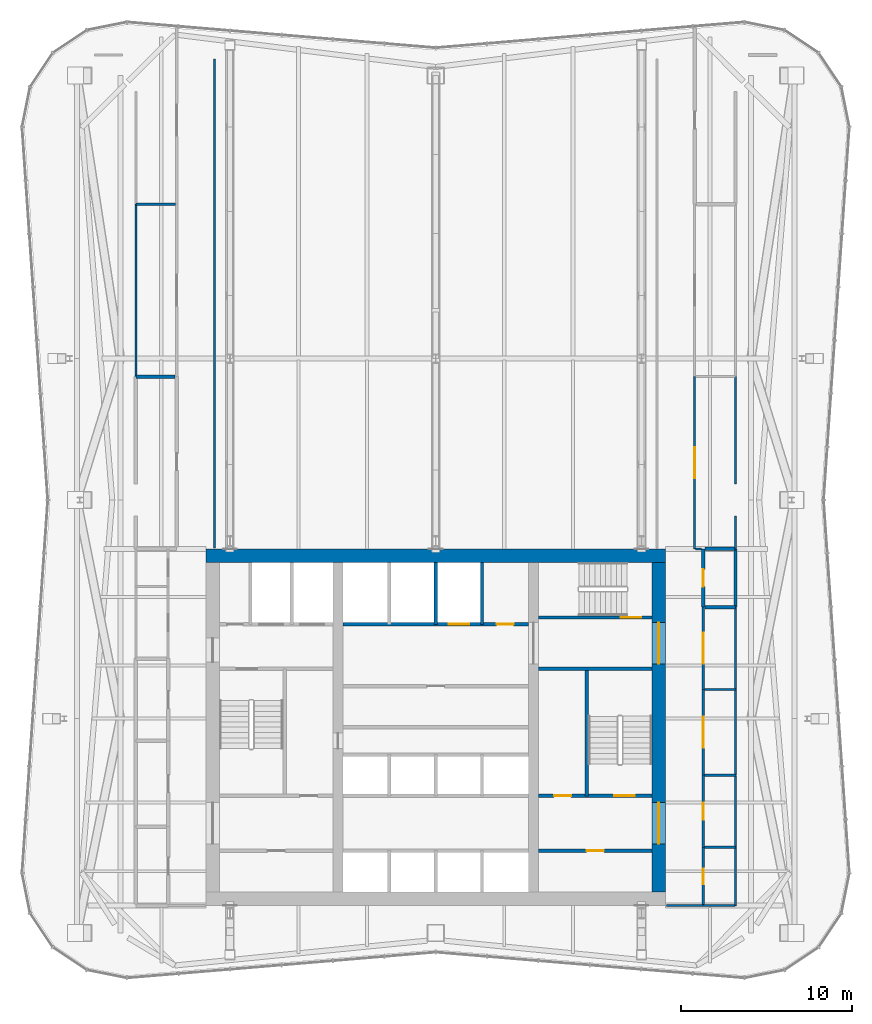
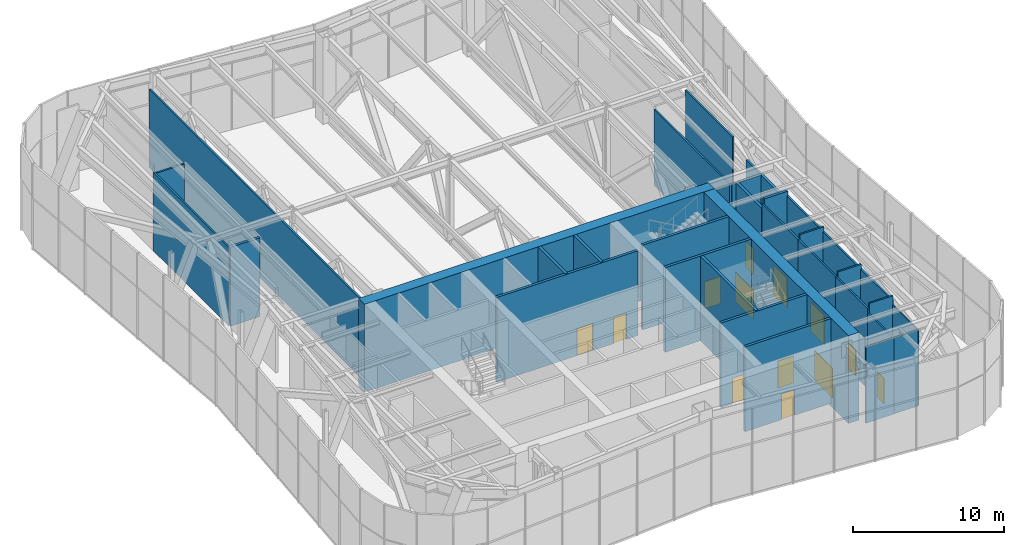
# One storey, part 13 of 17: 35 walls, 14 doors, 14 openings.
"""IFC4 building model written with IfcOpenShell, lengths in metres."""

from ifc_helpers import new_model, si_unit, direction, frame, frame_2d, origin, place, context, subcontext, project, spatial, rectangle, extrude, material, layer, layer_set, type_object, element, fill, save


model = new_model("IFC4")

# Units and contexts
model_context = context("Model", 3, precision=1e-05, world=origin(), true_north=direction((0.0, 1.0)))
body_context = subcontext(model_context, "Body", "Model", "MODEL_VIEW")
ifc_project = project(units=[si_unit("LENGTHUNIT", "METRE"), si_unit("AREAUNIT", "SQUARE_METRE"), si_unit("VOLUMEUNIT", "CUBIC_METRE"), si_unit("PLANEANGLEUNIT", "RADIAN"), si_unit("MASSUNIT", "GRAM", prefix="KILO")], contexts=[model_context])

# Site, building, storey
site_placement = place(None, origin())
site = spatial("IfcSite", under=ifc_project, at=site_placement, CompositionType="ELEMENT")
building_placement = place(site_placement, origin())
building = spatial("IfcBuilding", under=site, at=building_placement, Name="Verdant Reach Tower", CompositionType="ELEMENT")
storey_placement = place(building_placement, frame((0.0, 0.0, 282.0)))
storey = spatial("IfcBuildingStorey", under=building, at=storey_placement, Name="L65 Plant", CompositionType="ELEMENT", Elevation=282.0)

# Wall, opening, door
ifc_material_1 = material(Name="Gypsum board on steel studs", Category="steel")
ifc_layer_1 = layer(ifc_material_1, 0.199951171875)
ifc_layer_set_1 = layer_set([ifc_layer_1], Name="CO-WALL-ROOM")
wall_type_1 = type_object("IfcWallType", Name="CO-WALL-ROOM", PredefinedType="PARTITIONING", material=ifc_layer_set_1)
wall_1_placement = place(storey_placement, frame((6.0, 20.800048828125, 0.0), z_axis=(0.0, 0.0, 1.0), x_axis=(1.0, 0.0, 0.0)))
wall_1 = element("IfcWall", 1, at=wall_1_placement, inside=storey, type_object=wall_type_1, Name="Core partition, L65 Plant", PredefinedType="PARTITIONING", context=body_context, shape_type="SweptSolid", body=[
    extrude(rectangle(XDim=6.60009765625, YDim=0.199951171875, at=frame_2d((3.300048828125, 0.0))), origin(), (0.0, 0.0, 1.0), 6.8701171875),
])
opening_1_placement = place(wall_1_placement, frame((2.800048828125, 0.0, 0.0)))
opening_1 = element("IfcOpeningElement", 2, at=opening_1_placement, cuts=wall_1, Name="Opening CD", PredefinedType="OPENING", context=body_context, shape_type="SweptSolid", body=[
    extrude(rectangle(XDim=1.0, YDim=2.10009765625, at=frame_2d((0.5, 1.050048828125))), frame((0.0, 0.10986328125, 0.0), z_axis=(0.0, -1.0, 0.0), x_axis=(1.0, 0.0, 0.0)), (0.0, 0.0, 1.0), 0.219970703125),
])
ifc_material_2 = material(Name="Timber", Category="wood")
door_type_1 = type_object("IfcDoorType", Name="CO-DOOR-ROOM", OperationType="NOTDEFINED", PredefinedType="DOOR", material=ifc_material_2)
door_1_placement = place(opening_1_placement, origin())
door_1 = element("IfcDoor", 3, at=door_1_placement, inside=storey, type_object=door_type_1, Name="Core room door, L65 Plant", OperationType="SINGLE_SWING_LEFT", OverallHeight=2.10009765625, OverallWidth=1.0, PredefinedType="DOOR", context=body_context, shape_type="SweptSolid", body=[
    extrude(rectangle(XDim=1.0, YDim=2.10009765625, at=frame_2d((0.5, 1.050048828125))), frame((0.0, 0.02490234375, 0.0), z_axis=(0.0, -1.0, 0.0), x_axis=(1.0, 0.0, 0.0)), (0.0, 0.0, 1.0), 0.050048828125),
])
fill(opening_1, door_1)

# Wall, openings, doors
ifc_material_3 = material(Name="Concrete C40/50", Category="concrete")
ifc_layer_2 = layer(ifc_material_3, 0.199951171875)
ifc_layer_set_2 = layer_set([ifc_layer_2], Name="CO-WALL-SHAFT")
wall_type_2 = type_object("IfcWallType", Name="CO-WALL-SHAFT", PredefinedType="PARTITIONING", material=ifc_layer_set_2)
wall_2_placement = place(storey_placement, frame((-5.39990234375, 34.0, 0.0), z_axis=(0.0, 0.0, 1.0), x_axis=(1.0, 0.0, 0.0)))
wall_2 = element("IfcWall", 4, at=wall_2_placement, inside=storey, type_object=wall_type_2, Name="Lift shaft wall, L65 Plant", PredefinedType="PARTITIONING", context=body_context, shape_type="SweptSolid", body=[
    extrude(rectangle(XDim=10.7998046875, YDim=0.199951171875, at=frame_2d((5.39990234375, 0.0))), origin(), (0.0, 0.0, 1.0), 6.8701171875),
])
opening_2_placement = place(wall_2_placement, frame((6.14990234375, 0.0, 0.0)))
opening_2 = element("IfcOpeningElement", 5, at=opening_2_placement, cuts=wall_2, Name="Opening LD-SL1", PredefinedType="OPENING", context=body_context, shape_type="SweptSolid", body=[
    extrude(rectangle(XDim=1.199951171875, YDim=2.199951171875, at=frame_2d((0.60009765625, 1.10009765625))), frame((0.0, 0.10986328125, 0.0), z_axis=(0.0, -1.0, 0.0), x_axis=(1.0, 0.0, 0.0)), (0.0, 0.0, 1.0), 0.219970703125),
])
opening_3_placement = place(wall_2_placement, frame((8.949951171875, 0.0, 0.0)))
opening_3 = element("IfcOpeningElement", 6, at=opening_3_placement, cuts=wall_2, Name="Opening CD", PredefinedType="OPENING", context=body_context, shape_type="SweptSolid", body=[
    extrude(rectangle(XDim=1.0, YDim=2.10009765625, at=frame_2d((0.5, 1.050048828125))), frame((0.0, 0.10986328125, 0.0), z_axis=(0.0, -1.0, 0.0), x_axis=(1.0, 0.0, 0.0)), (0.0, 0.0, 1.0), 0.219970703125),
])
ifc_material_4 = material(Name="Stainless steel", Category="steel")
door_type_2 = type_object("IfcDoorType", Name="CO-DOOR-LANDING", OperationType="SLIDING_TO_LEFT", PredefinedType="DOOR", material=ifc_material_4)
door_2_placement = place(opening_2_placement, origin())
door_2 = element("IfcDoor", 7, at=door_2_placement, inside=storey, type_object=door_type_2, Name="Landing door SL1, L65 Plant", OperationType="SLIDING_TO_LEFT", OverallHeight=2.199951171875, OverallWidth=1.199951171875, PredefinedType="DOOR", context=body_context, shape_type="SweptSolid", body=[
    extrude(rectangle(XDim=1.199951171875, YDim=2.199951171875, at=frame_2d((0.60009765625, 1.10009765625))), frame((0.0, 0.02490234375, 0.0), z_axis=(0.0, -1.0, 0.0), x_axis=(1.0, 0.0, 0.0)), (0.0, 0.0, 1.0), 0.050048828125),
])
fill(opening_2, door_2)
door_3_placement = place(opening_3_placement, origin())
door_3 = element("IfcDoor", 8, at=door_3_placement, inside=storey, type_object=door_type_1, Name="Core room door, L65 Plant", OperationType="SINGLE_SWING_LEFT", OverallHeight=2.10009765625, OverallWidth=1.0, PredefinedType="DOOR", context=body_context, shape_type="SweptSolid", body=[
    extrude(rectangle(XDim=1.0, YDim=2.10009765625, at=frame_2d((0.5, 1.050048828125))), frame((0.0, 0.02490234375, 0.0), z_axis=(0.0, -1.0, 0.0), x_axis=(1.0, 0.0, 0.0)), (0.0, 0.0, 1.0), 0.050048828125),
])
fill(opening_3, door_3)

# Walls
for number, where, z_axis, x_axis, name in (
    (9, (0.0, 34.0, 0.0), (0.0, 0.0, 1.0), (0.0, 1.0, 0.0), "Lift shaft wall, L65 Plant"),
    (10, (2.699951171875, 34.0, 0.0), (0.0, 0.0, 1.0), (0.0, 1.0, 0.0), "Lift shaft wall, L65 Plant"),
):
    element("IfcWall", number, at=place(storey_placement, frame(where, z_axis=z_axis, x_axis=x_axis)), inside=storey, type_object=wall_type_2, Name=name, PredefinedType="PARTITIONING", context=body_context, shape_type="SweptSolid", body=[
        extrude(rectangle(XDim=3.60009765625, YDim=0.199951171875, at=frame_2d((1.800048828125, 0.0))), origin(), (0.0, 0.0, 1.0), 6.8701171875),
    ])

# Wall, openings, doors
ifc_layer_3 = layer(ifc_material_3, 0.199951171875)
ifc_layer_set_3 = layer_set([ifc_layer_3], Name="CO-WALL-STAIR")
wall_type_3 = type_object("IfcWallType", Name="CO-WALL-STAIR", PredefinedType="PARTITIONING", material=ifc_layer_set_3)
wall_3_placement = place(storey_placement, frame((6.0, 24.0, 0.0), z_axis=(0.0, 0.0, 1.0), x_axis=(1.0, 0.0, 0.0)))
wall_3 = element("IfcWall", 11, at=wall_3_placement, inside=storey, type_object=wall_type_3, Name="Stair enclosure wall, L65 Plant", PredefinedType="PARTITIONING", context=body_context, shape_type="SweptSolid", body=[
    extrude(rectangle(XDim=6.60009765625, YDim=0.199951171875, at=frame_2d((3.300048828125, 0.0))), origin(), (0.0, 0.0, 1.0), 6.8701171875),
])
opening_4_placement = place(wall_3_placement, frame((0.89990234375, 0.0, 0.0)))
opening_4 = element("IfcOpeningElement", 12, at=opening_4_placement, cuts=wall_3, Name="Opening CD", PredefinedType="OPENING", context=body_context, shape_type="SweptSolid", body=[
    extrude(rectangle(XDim=1.0, YDim=2.10009765625, at=frame_2d((0.5, 1.050048828125))), frame((0.0, 0.10986328125, 0.0), z_axis=(0.0, -1.0, 0.0), x_axis=(1.0, 0.0, 0.0)), (0.0, 0.0, 1.0), 0.219970703125),
])
opening_5_placement = place(wall_3_placement, frame((4.39990234375, 0.0, 0.0)))
opening_5 = element("IfcOpeningElement", 13, at=opening_5_placement, cuts=wall_3, Name="Opening SD", PredefinedType="OPENING", context=body_context, shape_type="SweptSolid", body=[
    extrude(rectangle(XDim=1.199951171875, YDim=2.199951171875, at=frame_2d((0.60009765625, 1.10009765625))), frame((0.0, 0.10986328125, 0.0), z_axis=(0.0, -1.0, 0.0), x_axis=(1.0, 0.0, 0.0)), (0.0, 0.0, 1.0), 0.219970703125),
])
door_4_placement = place(opening_4_placement, origin())
door_4 = element("IfcDoor", 14, at=door_4_placement, inside=storey, type_object=door_type_1, Name="Core room door, L65 Plant", OperationType="SINGLE_SWING_RIGHT", OverallHeight=2.10009765625, OverallWidth=1.0, PredefinedType="DOOR", context=body_context, shape_type="SweptSolid", body=[
    extrude(rectangle(XDim=1.0, YDim=2.10009765625, at=frame_2d((0.5, 1.050048828125))), frame((0.0, 0.02490234375, 0.0), z_axis=(0.0, -1.0, 0.0), x_axis=(1.0, 0.0, 0.0)), (0.0, 0.0, 1.0), 0.050048828125),
])
fill(opening_4, door_4)
ifc_material_5 = material(Name="Steel", Category="steel")
door_type_3 = type_object("IfcDoorType", Name="CO-DOOR-STAIR", OperationType="NOTDEFINED", PredefinedType="DOOR", material=ifc_material_5)
door_5_placement = place(opening_5_placement, origin())
door_5 = element("IfcDoor", 15, at=door_5_placement, inside=storey, type_object=door_type_3, Name="Stair door, L65 Plant", OperationType="SINGLE_SWING_RIGHT", OverallHeight=2.199951171875, OverallWidth=1.199951171875, PredefinedType="DOOR", context=body_context, shape_type="SweptSolid", body=[
    extrude(rectangle(XDim=1.199951171875, YDim=2.199951171875, at=frame_2d((0.60009765625, 1.10009765625))), frame((0.0, 0.02490234375, 0.0), z_axis=(0.0, -1.0, 0.0), x_axis=(1.0, 0.0, 0.0)), (0.0, 0.0, 1.0), 0.050048828125),
])
fill(opening_5, door_5)

# Wall
wall_4_placement = place(storey_placement, frame((6.0, 31.39990234375, 0.0), z_axis=(0.0, 0.0, 1.0), x_axis=(1.0, 0.0, 0.0)))
element("IfcWall", 16, at=wall_4_placement, inside=storey, type_object=wall_type_3, Name="Stair enclosure wall, L65 Plant", PredefinedType="PARTITIONING", context=body_context, shape_type="SweptSolid", body=[
    extrude(rectangle(XDim=6.60009765625, YDim=0.199951171875, at=frame_2d((3.300048828125, 0.0))), origin(), (0.0, 0.0, 1.0), 6.8701171875),
])

# Wall, opening, door
wall_5_placement = place(storey_placement, frame((6.0, 34.39990234375, 0.0), z_axis=(0.0, 0.0, 1.0), x_axis=(1.0, 0.0, 0.0)))
wall_5 = element("IfcWall", 17, at=wall_5_placement, inside=storey, type_object=wall_type_3, Name="Stair enclosure wall, L65 Plant", PredefinedType="PARTITIONING", context=body_context, shape_type="SweptSolid", body=[
    extrude(rectangle(XDim=6.60009765625, YDim=0.199951171875, at=frame_2d((3.300048828125, 0.0))), origin(), (0.0, 0.0, 1.0), 6.8701171875),
])
opening_6_placement = place(wall_5_placement, frame((4.800048828125, 0.0, 0.0)))
opening_6 = element("IfcOpeningElement", 18, at=opening_6_placement, cuts=wall_5, Name="Opening SD", PredefinedType="OPENING", context=body_context, shape_type="SweptSolid", body=[
    extrude(rectangle(XDim=1.199951171875, YDim=2.199951171875, at=frame_2d((0.60009765625, 1.10009765625))), frame((0.0, 0.10986328125, 0.0), z_axis=(0.0, -1.0, 0.0), x_axis=(1.0, 0.0, 0.0)), (0.0, 0.0, 1.0), 0.219970703125),
])
door_6_placement = place(opening_6_placement, origin())
door_6 = element("IfcDoor", 19, at=door_6_placement, inside=storey, type_object=door_type_3, Name="Stair door, L65 Plant", OperationType="SINGLE_SWING_LEFT", OverallHeight=2.199951171875, OverallWidth=1.199951171875, PredefinedType="DOOR", context=body_context, shape_type="SweptSolid", body=[
    extrude(rectangle(XDim=1.199951171875, YDim=2.199951171875, at=frame_2d((0.60009765625, 1.10009765625))), frame((0.0, 0.02490234375, 0.0), z_axis=(0.0, -1.0, 0.0), x_axis=(1.0, 0.0, 0.0)), (0.0, 0.0, 1.0), 0.050048828125),
])
fill(opening_6, door_6)

# Walls
wall_6_placement = place(storey_placement, frame((8.800048828125, 24.0, 0.0), z_axis=(0.0, 0.0, 1.0), x_axis=(0.0, 1.0, 0.0)))
element("IfcWall", 20, at=wall_6_placement, inside=storey, type_object=wall_type_3, Name="Stair enclosure wall, L65 Plant", PredefinedType="PARTITIONING", context=body_context, shape_type="SweptSolid", body=[
    extrude(rectangle(XDim=7.39990234375, YDim=0.199951171875, at=frame_2d((3.699951171875, 0.0))), origin(), (0.0, 0.0, 1.0), 6.8701171875),
])
ifc_material_6 = material(Name="Concrete C70/85", Category="concrete")
ifc_layer_4 = layer(ifc_material_6, 0.800048828125)
ifc_layer_set_4 = layer_set([ifc_layer_4], Name="ST-CORE-WALL-800")
wall_type_4 = type_object("IfcWallType", Name="ST-CORE-WALL-800", PredefinedType="SHEAR", material=ifc_layer_set_4)
wall_7_placement = place(storey_placement, frame((-13.39990234375, 38.0, -0.25), z_axis=(0.0, 0.0, 1.0), x_axis=(1.0, 0.0, 0.0)))
element("IfcWall", 21, at=wall_7_placement, inside=storey, type_object=wall_type_4, Name="Core wall N, L65 Plant", PredefinedType="SHEAR", context=body_context, shape_type="SweptSolid", body=[
    extrude(rectangle(XDim=26.7998046875, YDim=0.800048828125, at=frame_2d((13.39990234375, 0.0))), origin(), (0.0, 0.0, 1.0), 7.1201171875),
])

# Wall, openings, doors
wall_8_placement = place(storey_placement, frame((13.0, 18.39990234375, -0.25), z_axis=(0.0, 0.0, 1.0), x_axis=(0.0, 1.0, 0.0)))
wall_8 = element("IfcWall", 22, at=wall_8_placement, inside=storey, type_object=wall_type_4, Name="Core wall E, L65 Plant", PredefinedType="SHEAR", context=body_context, shape_type="SweptSolid", body=[
    extrude(rectangle(XDim=19.2001953125, YDim=0.800048828125, at=frame_2d((9.60009765625, 0.0))), origin(), (0.0, 0.0, 1.0), 7.1201171875),
])
opening_7_placement = place(wall_8_placement, frame((2.800048828125, 0.0, 0.25)))
opening_7 = element("IfcOpeningElement", 23, at=opening_7_placement, cuts=wall_8, Name="Opening LB", PredefinedType="OPENING", context=body_context, shape_type="SweptSolid", body=[
    extrude(rectangle(XDim=2.39990234375, YDim=2.39990234375, at=frame_2d((1.199951171875, 1.199951171875))), frame((0.0, 0.409912109375, 0.0), z_axis=(0.0, -1.0, 0.0), x_axis=(1.0, 0.0, 0.0)), (0.0, 0.0, 1.0), 0.820068359375),
])
opening_8_placement = place(wall_8_placement, frame((13.300048828125, 0.0, 0.25)))
opening_8 = element("IfcOpeningElement", 24, at=opening_8_placement, cuts=wall_8, Name="Opening LB", PredefinedType="OPENING", context=body_context, shape_type="SweptSolid", body=[
    extrude(rectangle(XDim=2.39990234375, YDim=2.39990234375, at=frame_2d((1.199951171875, 1.199951171875))), frame((0.0, 0.409912109375, 0.0), z_axis=(0.0, -1.0, 0.0), x_axis=(1.0, 0.0, 0.0)), (0.0, 0.0, 1.0), 0.820068359375),
])
ifc_material_7 = material(Name="Glass and steel", Category="steel")
door_type_4 = type_object("IfcDoorType", Name="CO-DOOR-LOBBY", OperationType="DOUBLE_DOOR_SINGLE_SWING", PredefinedType="DOOR", material=ifc_material_7)
door_7_placement = place(opening_7_placement, origin())
door_7 = element("IfcDoor", 25, at=door_7_placement, inside=storey, type_object=door_type_4, Name="Core entrance door, L65 Plant", OperationType="DOUBLE_DOOR_SINGLE_SWING", OverallHeight=2.39990234375, OverallWidth=2.39990234375, PredefinedType="DOOR", context=body_context, shape_type="SweptSolid", body=[
    extrude(rectangle(XDim=2.39990234375, YDim=2.39990234375, at=frame_2d((1.199951171875, 1.199951171875))), frame((0.0, 0.02490234375, 0.0), z_axis=(0.0, -1.0, 0.0), x_axis=(1.0, 0.0, 0.0)), (0.0, 0.0, 1.0), 0.050048828125),
])
fill(opening_7, door_7)
door_8_placement = place(opening_8_placement, origin())
door_8 = element("IfcDoor", 26, at=door_8_placement, inside=storey, type_object=door_type_4, Name="Core entrance door, L65 Plant", OperationType="DOUBLE_DOOR_SINGLE_SWING", OverallHeight=2.39990234375, OverallWidth=2.39990234375, PredefinedType="DOOR", context=body_context, shape_type="SweptSolid", body=[
    extrude(rectangle(XDim=2.39990234375, YDim=2.39990234375, at=frame_2d((1.199951171875, 1.199951171875))), frame((0.0, 0.02490234375, 0.0), z_axis=(0.0, -1.0, 0.0), x_axis=(1.0, 0.0, 0.0)), (0.0, 0.0, 1.0), 0.050048828125),
])
fill(opening_8, door_8)

# Walls
ifc_layer_5 = layer(ifc_material_1, 0.10009765625)
ifc_layer_set_5 = layer_set([ifc_layer_5], Name="SV-W1 Partition 100")
wall_type_5 = type_object("IfcWallType", Name="SV-W1 Partition 100", PredefinedType="PARTITIONING", material=ifc_layer_set_5)
wall_9_placement = place(storey_placement, frame((17.48193359375, 20.998046875, 0.0), z_axis=(0.0, 0.0, 1.0), x_axis=(0.0, -1.0, 0.0)))
element("IfcWall", 27, at=wall_9_placement, inside=storey, type_object=wall_type_5, Name="Partition L65.35", PredefinedType="PARTITIONING", context=body_context, shape_type="SweptSolid", body=[
    extrude(rectangle(XDim=3.39794921875, YDim=0.10009765625, at=frame_2d((1.698974609375, 0.0))), origin(), (0.0, 0.0, 1.0), 6.139892578125),
])
wall_10_placement = place(storey_placement, frame((17.431884765625, 17.60009765625, 0.0), z_axis=(0.0, 0.0, 1.0), x_axis=(-1.0, 0.0, 0.0)))
element("IfcWall", 28, at=wall_10_placement, inside=storey, type_object=wall_type_5, Name="Partition L65.36", PredefinedType="PARTITIONING", context=body_context, shape_type="SweptSolid", body=[
    extrude(rectangle(XDim=1.829833984375, YDim=0.10009765625, at=frame_2d((0.9150390625, 0.0))), origin(), (0.0, 0.0, 1.0), 6.139892578125),
])

# Wall, opening, door
ifc_material_8 = material(Name="Gypsum board on steel studs, fire rated", Category="steel")
ifc_layer_6 = layer(ifc_material_8, 0.125)
ifc_layer_set_6 = layer_set([ifc_layer_6], Name="SV-W2 Plant wall 125 EI 60")
wall_type_6 = type_object("IfcWallType", Name="SV-W2 Plant wall 125 EI 60", PredefinedType="PARTITIONING", material=ifc_layer_set_6)
wall_11_placement = place(storey_placement, frame((15.60009765625, 17.60009765625, 0.0), z_axis=(0.0, 0.0, 1.0), x_axis=(0.0, 1.0, 0.0)))
wall_11 = element("IfcWall", 29, at=wall_11_placement, inside=storey, type_object=wall_type_6, Name="Partition L65.01", PredefinedType="PARTITIONING", context=body_context, shape_type="SweptSolid", body=[
    extrude(rectangle(XDim=3.39990234375, YDim=0.125, at=frame_2d((1.699951171875, 0.0))), origin(), (0.0, 0.0, 1.0), 6.139892578125),
])
opening_9_placement = place(wall_11_placement, frame((1.25, 0.0, 0.0)))
opening_9 = element("IfcOpeningElement", 30, at=opening_9_placement, cuts=wall_11, Name="Opening SD1", PredefinedType="OPENING", context=body_context, shape_type="SweptSolid", body=[
    extrude(rectangle(XDim=0.89990234375, YDim=2.10009765625, at=frame_2d((0.449951171875, 1.050048828125))), frame((0.0, 0.072509765625, 0.0), z_axis=(0.0, -1.0, 0.0), x_axis=(1.0, 0.0, 0.0)), (0.0, 0.0, 1.0), 0.14501953125),
])
ifc_material_9 = material(Name="Painted timber door leaf", Category="wood")
door_type_5 = type_object("IfcDoorType", Name="SV-D1 Door 900x2100", OperationType="NOTDEFINED", PredefinedType="DOOR", material=ifc_material_9)
door_9_placement = place(opening_9_placement, origin())
door_9 = element("IfcDoor", 31, at=door_9_placement, inside=storey, type_object=door_type_5, Name="Door L65-001", OperationType="SINGLE_SWING_LEFT", OverallHeight=2.10009765625, OverallWidth=0.89990234375, PredefinedType="DOOR", context=body_context, shape_type="SweptSolid", body=[
    extrude(rectangle(XDim=0.89990234375, YDim=2.10009765625, at=frame_2d((0.449951171875, 1.050048828125))), frame((0.0, 0.02490234375, 0.0), z_axis=(0.0, -1.0, 0.0), x_axis=(1.0, 0.0, 0.0)), (0.0, 0.0, 1.0), 0.050048828125),
])
fill(opening_9, door_9)

wall_12_placement = place(storey_placement, frame((15.60009765625, 21.0, 0.0), z_axis=(0.0, 0.0, 1.0), x_axis=(0.0, 1.0, 0.0)))
wall_12 = element("IfcWall", 32, at=wall_12_placement, inside=storey, type_object=wall_type_6, Name="Partition L65.02", PredefinedType="PARTITIONING", context=body_context, shape_type="SweptSolid", body=[
    extrude(rectangle(XDim=4.199951171875, YDim=0.125, at=frame_2d((2.10009765625, 0.0))), origin(), (0.0, 0.0, 1.0), 6.47998046875),
])
opening_10_placement = place(wall_12_placement, frame((1.60009765625, 0.0, 0.0)))
opening_10 = element("IfcOpeningElement", 33, at=opening_10_placement, cuts=wall_12, Name="Opening SD2", PredefinedType="OPENING", context=body_context, shape_type="SweptSolid", body=[
    extrude(rectangle(XDim=1.0, YDim=2.10009765625, at=frame_2d((0.5, 1.050048828125))), frame((0.0, 0.072509765625, 0.0), z_axis=(0.0, -1.0, 0.0), x_axis=(1.0, 0.0, 0.0)), (0.0, 0.0, 1.0), 0.14501953125),
])
ifc_material_10 = material(Name="Steel door leaf, fire rated", Category="steel")
door_type_6 = type_object("IfcDoorType", Name="SV-D2 Door 1000x2100 FD60", OperationType="NOTDEFINED", PredefinedType="DOOR", material=ifc_material_10)
door_10_placement = place(opening_10_placement, origin())
door_10 = element("IfcDoor", 34, at=door_10_placement, inside=storey, type_object=door_type_6, Name="Door L65-002", OperationType="SINGLE_SWING_RIGHT", OverallHeight=2.10009765625, OverallWidth=1.0, PredefinedType="DOOR", context=body_context, shape_type="SweptSolid", body=[
    extrude(rectangle(XDim=1.0, YDim=2.10009765625, at=frame_2d((0.5, 1.050048828125))), frame((0.0, 0.02490234375, 0.0), z_axis=(0.0, -1.0, 0.0), x_axis=(1.0, 0.0, 0.0)), (0.0, 0.0, 1.0), 0.050048828125),
])
fill(opening_10, door_10)

wall_13_placement = place(storey_placement, frame((15.60009765625, 25.199951171875, 0.0), z_axis=(0.0, 0.0, 1.0), x_axis=(0.0, 1.0, 0.0)))
wall_13 = element("IfcWall", 35, at=wall_13_placement, inside=storey, type_object=wall_type_6, Name="Partition L65.03", PredefinedType="PARTITIONING", context=body_context, shape_type="SweptSolid", body=[
    extrude(rectangle(XDim=5.0, YDim=0.125, at=frame_2d((2.5, 0.0))), origin(), (0.0, 0.0, 1.0), 6.47998046875),
])
opening_11_placement = place(wall_13_placement, frame((1.60009765625, 0.0, 0.0)))
opening_11 = element("IfcOpeningElement", 36, at=opening_11_placement, cuts=wall_13, Name="Opening SD3", PredefinedType="OPENING", context=body_context, shape_type="SweptSolid", body=[
    extrude(rectangle(XDim=1.800048828125, YDim=2.39990234375, at=frame_2d((0.89990234375, 1.199951171875))), frame((0.0, 0.072509765625, 0.0), z_axis=(0.0, -1.0, 0.0), x_axis=(1.0, 0.0, 0.0)), (0.0, 0.0, 1.0), 0.14501953125),
])
ifc_material_11 = material(Name="Steel door leaves, fire rated", Category="steel")
door_type_7 = type_object("IfcDoorType", Name="SV-D3 Equipment door 1800x2400 FD60", OperationType="DOUBLE_DOOR_SINGLE_SWING", PredefinedType="DOOR", material=ifc_material_11)
door_11_placement = place(opening_11_placement, origin())
door_11 = element("IfcDoor", 37, at=door_11_placement, inside=storey, type_object=door_type_7, Name="Door L65-003", OperationType="DOUBLE_DOOR_SINGLE_SWING", OverallHeight=2.39990234375, OverallWidth=1.800048828125, PredefinedType="DOOR", context=body_context, shape_type="SweptSolid", body=[
    extrude(rectangle(XDim=1.800048828125, YDim=2.39990234375, at=frame_2d((0.89990234375, 1.199951171875))), frame((0.0, 0.02490234375, 0.0), z_axis=(0.0, -1.0, 0.0), x_axis=(1.0, 0.0, 0.0)), (0.0, 0.0, 1.0), 0.050048828125),
])
fill(opening_11, door_11)

wall_14_placement = place(storey_placement, frame((15.60009765625, 30.199951171875, 0.0), z_axis=(0.0, 0.0, 1.0), x_axis=(0.0, 1.0, 0.0)))
wall_14 = element("IfcWall", 38, at=wall_14_placement, inside=storey, type_object=wall_type_6, Name="Partition L65.04", PredefinedType="PARTITIONING", context=body_context, shape_type="SweptSolid", body=[
    extrude(rectangle(XDim=4.800048828125, YDim=0.125, at=frame_2d((2.39990234375, 0.0))), origin(), (0.0, 0.0, 1.0), 6.47998046875),
])
opening_12_placement = place(wall_14_placement, frame((1.5, 0.0, 0.0)))
opening_12 = element("IfcOpeningElement", 39, at=opening_12_placement, cuts=wall_14, Name="Opening SD3", PredefinedType="OPENING", context=body_context, shape_type="SweptSolid", body=[
    extrude(rectangle(XDim=1.800048828125, YDim=2.39990234375, at=frame_2d((0.89990234375, 1.199951171875))), frame((0.0, 0.072509765625, 0.0), z_axis=(0.0, -1.0, 0.0), x_axis=(1.0, 0.0, 0.0)), (0.0, 0.0, 1.0), 0.14501953125),
])
door_12_placement = place(opening_12_placement, origin())
door_12 = element("IfcDoor", 40, at=door_12_placement, inside=storey, type_object=door_type_7, Name="Door L65-004", OperationType="DOUBLE_DOOR_SINGLE_SWING", OverallHeight=2.39990234375, OverallWidth=1.800048828125, PredefinedType="DOOR", context=body_context, shape_type="SweptSolid", body=[
    extrude(rectangle(XDim=1.800048828125, YDim=2.39990234375, at=frame_2d((0.89990234375, 1.199951171875))), frame((0.0, 0.02490234375, 0.0), z_axis=(0.0, -1.0, 0.0), x_axis=(1.0, 0.0, 0.0)), (0.0, 0.0, 1.0), 0.050048828125),
])
fill(opening_12, door_12)

wall_15_placement = place(storey_placement, frame((15.10009765625, 38.39990234375, 0.0), z_axis=(0.0, 0.0, 1.0), x_axis=(0.0, 1.0, 0.0)))
wall_15 = element("IfcWall", 41, at=wall_15_placement, inside=storey, type_object=wall_type_6, Name="Partition L65.06", PredefinedType="PARTITIONING", context=body_context, shape_type="SweptSolid", body=[
    extrude(rectangle(XDim=10.049072265625, YDim=0.125, at=frame_2d((5.0244140625, 0.0))), origin(), (0.0, 0.0, 1.0), 6.139892578125),
])
opening_13_placement = place(wall_15_placement, frame((4.12451171875, 0.0, 0.0)))
opening_13 = element("IfcOpeningElement", 42, at=opening_13_placement, cuts=wall_15, Name="Opening SD3", PredefinedType="OPENING", context=body_context, shape_type="SweptSolid", body=[
    extrude(rectangle(XDim=1.800048828125, YDim=2.39990234375, at=frame_2d((0.89990234375, 1.199951171875))), frame((0.0, 0.072509765625, 0.0), z_axis=(0.0, -1.0, 0.0), x_axis=(1.0, 0.0, 0.0)), (0.0, 0.0, 1.0), 0.14501953125),
])
door_13_placement = place(opening_13_placement, origin())
door_13 = element("IfcDoor", 43, at=door_13_placement, inside=storey, type_object=door_type_7, Name="Door L65-006", OperationType="DOUBLE_DOOR_SINGLE_SWING", OverallHeight=2.39990234375, OverallWidth=1.800048828125, PredefinedType="DOOR", context=body_context, shape_type="SweptSolid", body=[
    extrude(rectangle(XDim=1.800048828125, YDim=2.39990234375, at=frame_2d((0.89990234375, 1.199951171875))), frame((0.0, 0.02490234375, 0.0), z_axis=(0.0, -1.0, 0.0), x_axis=(1.0, 0.0, 0.0)), (0.0, 0.0, 1.0), 0.050048828125),
])
fill(opening_13, door_13)

# Walls
wall_16_placement = place(storey_placement, frame((15.16259765625, 38.39990234375, 0.0), z_axis=(0.0, 0.0, 1.0), x_axis=(1.0, 0.0, 0.0)))
element("IfcWall", 44, at=wall_16_placement, inside=storey, type_object=wall_type_6, Name="Partition L65.07", PredefinedType="PARTITIONING", context=body_context, shape_type="SweptSolid", body=[
    extrude(rectangle(XDim=0.33740234375, YDim=0.125, at=frame_2d((0.168701171875, 0.0))), origin(), (0.0, 0.0, 1.0), 6.139892578125),
])
for number, where, z_axis, x_axis, name in (
    (45, (15.66259765625, 21.0, 0.0), (0.0, 0.0, 1.0), (1.0, 0.0, 0.0), "Partition L65.10"),
    (46, (15.66259765625, 25.199951171875, 0.0), (0.0, 0.0, 1.0), (1.0, 0.0, 0.0), "Partition L65.11"),
    (47, (15.66259765625, 30.199951171875, 0.0), (0.0, 0.0, 1.0), (1.0, 0.0, 0.0), "Partition L65.12"),
):
    element("IfcWall", number, at=place(storey_placement, frame(where, z_axis=z_axis, x_axis=x_axis)), inside=storey, type_object=wall_type_6, Name=name, PredefinedType="PARTITIONING", context=body_context, shape_type="SweptSolid", body=[
        extrude(rectangle(XDim=1.8193359375, YDim=0.125, at=frame_2d((0.90966796875, 0.0))), origin(), (0.0, 0.0, 1.0), 6.8701171875),
    ])
wall_17_placement = place(storey_placement, frame((-17.48193359375, 58.498046875, 0.0), z_axis=(0.0, 0.0, 1.0), x_axis=(1.0, 0.0, 0.0)))
element("IfcWall", 48, at=wall_17_placement, inside=storey, type_object=wall_type_6, Name="Partition L65.32", PredefinedType="PARTITIONING", context=body_context, shape_type="SweptSolid", body=[
    extrude(rectangle(XDim=2.3193359375, YDim=0.125, at=frame_2d((1.15966796875, 0.0))), origin(), (0.0, 0.0, 1.0), 6.239990234375),
])
wall_18_placement = place(storey_placement, frame((15.597900390625, 17.60009765625, 0.0), z_axis=(0.0, 0.0, 1.0), x_axis=(-1.0, 0.0, 0.0)))
element("IfcWall", 49, at=wall_18_placement, inside=storey, type_object=wall_type_6, Name="Partition L65.34", PredefinedType="PARTITIONING", context=body_context, shape_type="SweptSolid", body=[
    extrude(rectangle(XDim=2.14794921875, YDim=0.125, at=frame_2d((1.073974609375, 0.0))), origin(), (0.0, 0.0, 1.0), 6.139892578125),
])
wall_19_placement = place(storey_placement, frame((17.48193359375, 25.197998046875, 0.0), z_axis=(0.0, 0.0, 1.0), x_axis=(0.0, -1.0, 0.0)))
element("IfcWall", 50, at=wall_19_placement, inside=storey, type_object=wall_type_6, Name="Partition L65.37", PredefinedType="PARTITIONING", context=body_context, shape_type="SweptSolid", body=[
    extrude(rectangle(XDim=4.196044921875, YDim=0.125, at=frame_2d((2.09814453125, 0.0))), origin(), (0.0, 0.0, 1.0), 6.47998046875),
])
wall_20_placement = place(storey_placement, frame((17.48193359375, 30.197998046875, 0.0), z_axis=(0.0, 0.0, 1.0), x_axis=(0.0, -1.0, 0.0)))
element("IfcWall", 51, at=wall_20_placement, inside=storey, type_object=wall_type_6, Name="Partition L65.38", PredefinedType="PARTITIONING", context=body_context, shape_type="SweptSolid", body=[
    extrude(rectangle(XDim=4.99609375, YDim=0.125, at=frame_2d((2.498046875, 0.0))), origin(), (0.0, 0.0, 1.0), 6.47998046875),
])
wall_21_placement = place(storey_placement, frame((17.48193359375, 34.998046875, 0.0), z_axis=(0.0, 0.0, 1.0), x_axis=(0.0, -1.0, 0.0)))
element("IfcWall", 52, at=wall_21_placement, inside=storey, type_object=wall_type_6, Name="Partition L65.39", PredefinedType="PARTITIONING", context=body_context, shape_type="SweptSolid", body=[
    extrude(rectangle(XDim=4.796142578125, YDim=0.125, at=frame_2d((2.39794921875, 0.0))), origin(), (0.0, 0.0, 1.0), 6.47998046875),
])
wall_22_placement = place(storey_placement, frame((17.48193359375, 48.447021484375, 0.0), z_axis=(0.0, 0.0, 1.0), x_axis=(0.0, -1.0, 0.0)))
element("IfcWall", 53, at=wall_22_placement, inside=storey, type_object=wall_type_6, Name="Partition L65.41", PredefinedType="PARTITIONING", context=body_context, shape_type="SweptSolid", body=[
    extrude(rectangle(XDim=6.276123046875, YDim=0.125, at=frame_2d((3.13818359375, 0.0))), origin(), (0.0, 0.0, 1.0), 6.8701171875),
])
wall_23_placement = place(storey_placement, frame((17.48193359375, 40.3291015625, 0.0), z_axis=(0.0, 0.0, 1.0), x_axis=(0.0, -1.0, 0.0)))
element("IfcWall", 54, at=wall_23_placement, inside=storey, type_object=wall_type_6, Name="Partition L65.42", PredefinedType="PARTITIONING", context=body_context, shape_type="SweptSolid", body=[
    extrude(rectangle(XDim=1.927001953125, YDim=0.125, at=frame_2d((0.96337890625, 0.0))), origin(), (0.0, 0.0, 1.0), 6.139892578125),
])
wall_24_placement = place(storey_placement, frame((-12.89990234375, 66.9580078125, 0.0), z_axis=(0.0, 0.0, 1.0), x_axis=(0.0, -1.0, 0.0)))
element("IfcWall", 55, at=wall_24_placement, inside=storey, type_object=wall_type_6, Name="Partition L65.47", PredefinedType="PARTITIONING", context=body_context, shape_type="SweptSolid", body=[
    extrude(rectangle(XDim=28.508056640625, YDim=0.125, at=frame_2d((14.25390625, 0.0))), origin(), (0.0, 0.0, 1.0), 6.35009765625),
])
wall_25_placement = place(storey_placement, frame((-17.48193359375, 48.450927734375, 0.0), z_axis=(0.0, 0.0, 1.0), x_axis=(0.0, 1.0, 0.0)))
element("IfcWall", 56, at=wall_25_placement, inside=storey, type_object=wall_type_6, Name="Partition L65.56", PredefinedType="PARTITIONING", context=body_context, shape_type="SweptSolid", body=[
    extrude(rectangle(XDim=10.045166015625, YDim=0.125, at=frame_2d((5.0224609375, 0.0))), origin(), (0.0, 0.0, 1.0), 6.35009765625),
])

# Wall, opening, door
ifc_material_12 = material(Name="Calcium silicate board on steel studs, fire rated", Category="steel")
ifc_layer_7 = layer(ifc_material_12, 0.199951171875)
ifc_layer_set_7 = layer_set([ifc_layer_7], Name="SV-W3 Fire wall 200 EI 120")
wall_type_7 = type_object("IfcWallType", Name="SV-W3 Fire wall 200 EI 120", PredefinedType="PARTITIONING", material=ifc_layer_set_7)
wall_26_placement = place(storey_placement, frame((15.60009765625, 35.0, 0.0), z_axis=(0.0, 0.0, 1.0), x_axis=(0.0, 1.0, 0.0)))
wall_26 = element("IfcWall", 57, at=wall_26_placement, inside=storey, type_object=wall_type_7, Name="Partition L65.05", PredefinedType="PARTITIONING", context=body_context, shape_type="SweptSolid", body=[
    extrude(rectangle(XDim=3.39990234375, YDim=0.199951171875, at=frame_2d((1.699951171875, 0.0))), origin(), (0.0, 0.0, 1.0), 6.139892578125),
])
opening_14_placement = place(wall_26_placement, frame((1.199951171875, 0.0, 0.0)))
opening_14 = element("IfcOpeningElement", 58, at=opening_14_placement, cuts=wall_26, Name="Opening SD4", PredefinedType="OPENING", context=body_context, shape_type="SweptSolid", body=[
    extrude(rectangle(XDim=1.0, YDim=2.10009765625, at=frame_2d((0.5, 1.050048828125))), frame((0.0, 0.10986328125, 0.0), z_axis=(0.0, -1.0, 0.0), x_axis=(1.0, 0.0, 0.0)), (0.0, 0.0, 1.0), 0.219970703125),
])
door_type_8 = type_object("IfcDoorType", Name="SV-D4 Door 1000x2100 FD120", OperationType="NOTDEFINED", PredefinedType="DOOR", material=ifc_material_10)
door_14_placement = place(opening_14_placement, origin())
door_14 = element("IfcDoor", 59, at=door_14_placement, inside=storey, type_object=door_type_8, Name="Door L65-005", OperationType="SINGLE_SWING_LEFT", OverallHeight=2.10009765625, OverallWidth=1.0, PredefinedType="DOOR", context=body_context, shape_type="SweptSolid", body=[
    extrude(rectangle(XDim=1.0, YDim=2.10009765625, at=frame_2d((0.5, 1.050048828125))), frame((0.0, 0.02490234375, 0.0), z_axis=(0.0, -1.0, 0.0), x_axis=(1.0, 0.0, 0.0)), (0.0, 0.0, 1.0), 0.050048828125),
])
fill(opening_14, door_14)

# Walls
wall_27_placement = place(storey_placement, frame((15.699951171875, 35.0, 0.0), z_axis=(0.0, 0.0, 1.0), x_axis=(1.0, 0.0, 0.0)))
element("IfcWall", 60, at=wall_27_placement, inside=storey, type_object=wall_type_7, Name="Partition L65.13", PredefinedType="PARTITIONING", context=body_context, shape_type="SweptSolid", body=[
    extrude(rectangle(XDim=1.781982421875, YDim=0.199951171875, at=frame_2d((0.89111328125, 0.0))), origin(), (0.0, 0.0, 1.0), 6.8701171875),
])
wall_28_placement = place(storey_placement, frame((15.699951171875, 38.39990234375, 0.0), z_axis=(0.0, 0.0, 1.0), x_axis=(1.0, 0.0, 0.0)))
element("IfcWall", 61, at=wall_28_placement, inside=storey, type_object=wall_type_7, Name="Partition L65.14", PredefinedType="PARTITIONING", context=body_context, shape_type="SweptSolid", body=[
    extrude(rectangle(XDim=1.781982421875, YDim=0.199951171875, at=frame_2d((0.89111328125, 0.0))), origin(), (0.0, 0.0, 1.0), 6.139892578125),
])
wall_29_placement = place(storey_placement, frame((-17.48193359375, 48.448974609375, 0.0), z_axis=(0.0, 0.0, 1.0), x_axis=(1.0, 0.0, 0.0)))
element("IfcWall", 62, at=wall_29_placement, inside=storey, type_object=wall_type_7, Name="Partition L65.31", PredefinedType="PARTITIONING", context=body_context, shape_type="SweptSolid", body=[
    extrude(rectangle(XDim=2.281982421875, YDim=0.199951171875, at=frame_2d((1.14111328125, 0.0))), origin(), (0.0, 0.0, 1.0), 6.389892578125),
])
wall_30_placement = place(storey_placement, frame((17.48193359375, 38.39794921875, 0.0), z_axis=(0.0, 0.0, 1.0), x_axis=(0.0, -1.0, 0.0)))
element("IfcWall", 63, at=wall_30_placement, inside=storey, type_object=wall_type_7, Name="Partition L65.40", PredefinedType="PARTITIONING", context=body_context, shape_type="SweptSolid", body=[
    extrude(rectangle(XDim=3.39599609375, YDim=0.199951171875, at=frame_2d((1.697998046875, 0.0))), origin(), (0.0, 0.0, 1.0), 6.139892578125),
])

save(model, "model.ifc")
